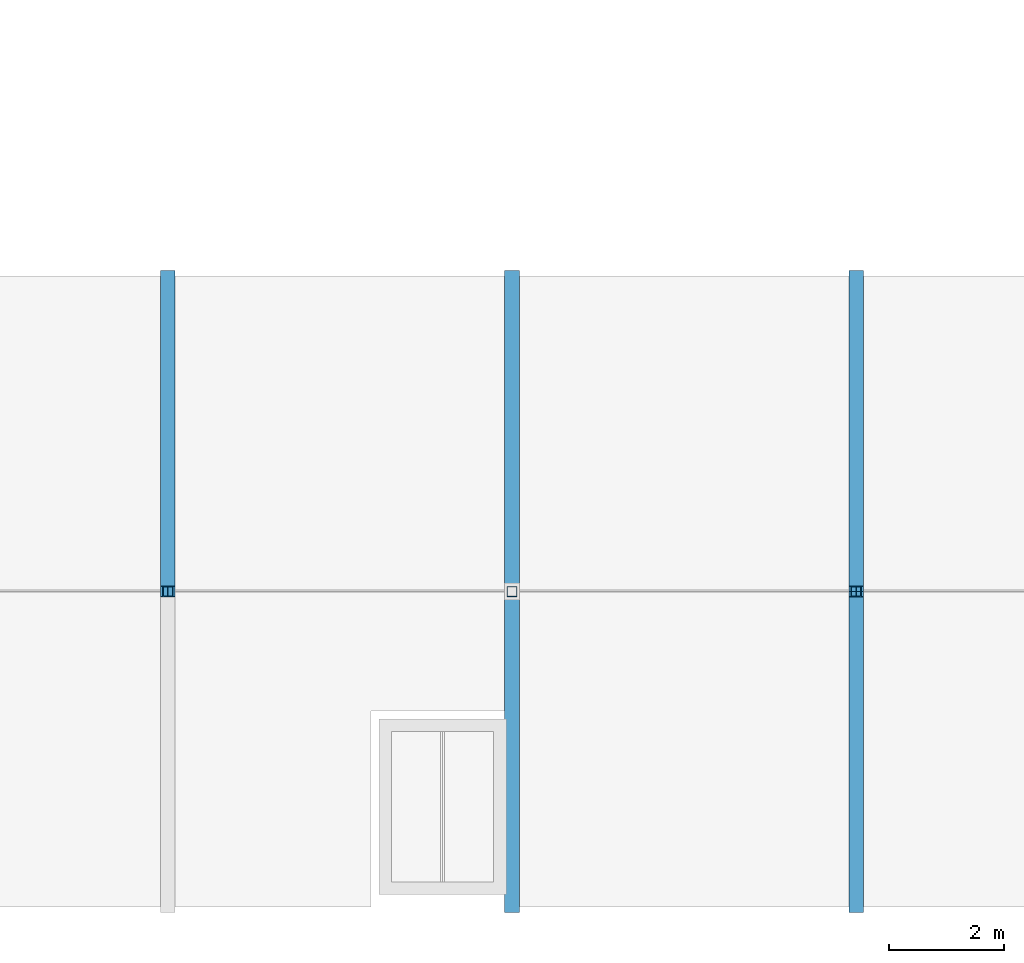
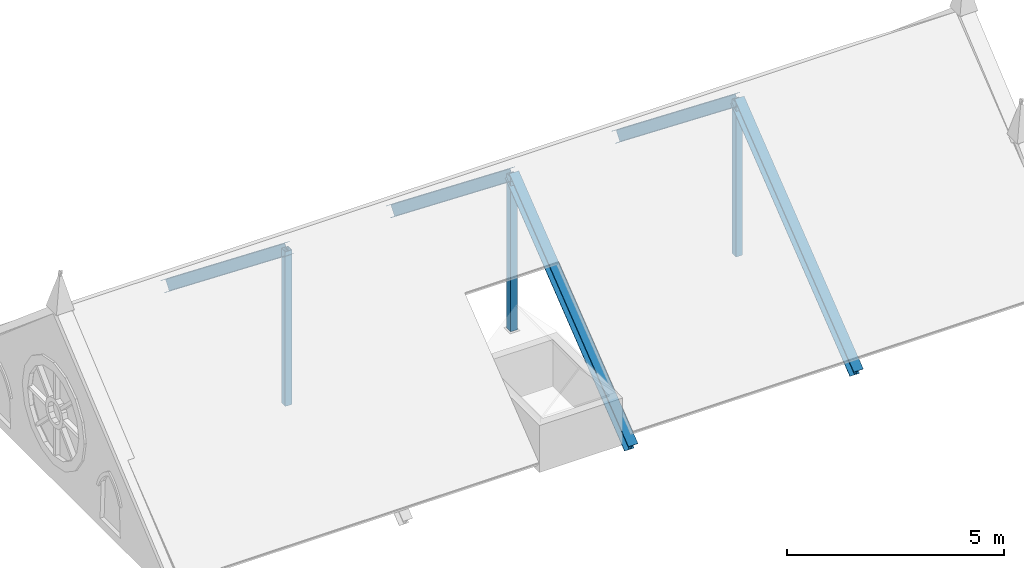
# One storey, part 6 of 108: 8 members.
"""IFC4 building model written with IfcOpenShell, lengths in metres."""

from ifc_helpers import new_model, si_unit, direction, frame, origin, origin_2d, place, context, subcontext, project, spatial, hollow_rectangle, i_section, extrude, material, material_profile, profile_set, type_object, element, save


model = new_model("IFC4")

# Units and contexts
model_context = context("Model", 3, precision=1e-05, world=origin(), true_north=direction((0.0, 1.0)))
body_context = subcontext(model_context, "Body", "Model", "MODEL_VIEW")
ifc_project = project(units=[si_unit("LENGTHUNIT", "METRE"), si_unit("AREAUNIT", "SQUARE_METRE"), si_unit("VOLUMEUNIT", "CUBIC_METRE"), si_unit("PLANEANGLEUNIT", "RADIAN"), si_unit("MASSUNIT", "GRAM", prefix="KILO")], contexts=[model_context])

# Site, building, storey
site_placement = place(None, origin())
site = spatial("IfcSite", under=ifc_project, at=site_placement, CompositionType="ELEMENT")
building_placement = place(site_placement, origin())
building = spatial("IfcBuilding", under=site, at=building_placement, Name="Cumevento Cable Car Station", CompositionType="ELEMENT")
storey_placement = place(building_placement, frame((0.0, 0.0, 13.5)))
storey = spatial("IfcBuildingStorey", under=building, at=storey_placement, Name="L04", CompositionType="ELEMENT", Elevation=13.5)

# Members
ifc_material_1 = material(Name="Steel ASTM A572 Grade 50", Category="steel")
ifc_material_profile_1 = material_profile(ifc_material_1, hollow_rectangle(XDim=0.179931640625, YDim=0.179931640625, WallThickness=0.010009765625, at=origin_2d()), Name="HSS180x180x10.0")
ifc_profile_set_1 = profile_set([ifc_material_profile_1], Name="Steel ASTM A572 Grade 50")
member_type_1 = type_object("IfcMemberType", Name="Framing Brace BR-01 HSS180x180x10.0", PredefinedType="BRACE", material=ifc_profile_set_1)
for number, where, z_axis, x_axis, name in (
    (1, (28.0, 9.5, 0.0), (0.0, 0.0, 1.0), (1.0, 0.0, 0.0), "Wing B_V1a King Post #673"),
    (2, (34.0, 9.5, 0.0), (0.0, 0.0, 1.0), (1.0, 0.0, 0.0), "Wing B_V1a King Post #676"),
    (3, (40.0, 9.5, 0.0), (0.0, 0.0, 1.0), (1.0, 0.0, 0.0), "Wing B_V1a King Post #679"),
):
    element("IfcMember", number, at=place(storey_placement, frame(where, z_axis=z_axis, x_axis=x_axis)), inside=storey, type_object=member_type_1, Name=name, PredefinedType="BRACE", context=body_context, shape_type="SweptSolid", body=[
        extrude(hollow_rectangle(XDim=0.179931640625, YDim=0.179931640625, WallThickness=0.010009765625, at=origin_2d()), origin(), (0.0, 0.0, 1.0), 4.35009765625),
    ])
ifc_material_2 = material(Name="Steel ASTM A572 Grade 50", Category="steel")
ifc_material_profile_2 = material_profile(ifc_material_2, i_section(OverallWidth=0.25390625, OverallDepth=0.305908203125, WebThickness=0.0087890625, FlangeThickness=0.0146484375, at=origin_2d()), Name="W310x79.0")
ifc_profile_set_2 = profile_set([ifc_material_profile_2], Name="Steel ASTM A572 Grade 50")
member_type_2 = type_object("IfcMemberType", Name="Framing Chord TC-03 W310x79.0", PredefinedType="CHORD", material=ifc_profile_set_2)
for number, where, z_axis, x_axis, name in (
    (4, (28.0, 15.0, 0.0), (0.0, -0.784328133219, 0.620346177099), (1.0, 0.0, 0.0), "Wing B_V1a Rafter #675"),
    (5, (34.0, 4.0, 0.0), (0.0, 0.784328133219, 0.620346177099), (-1.0, 0.0, 0.0), "Wing B_V1a Rafter #677"),
    (6, (34.0, 15.0, 0.0), (0.0, -0.784328133219, 0.620346177099), (1.0, 0.0, 0.0), "Wing B_V1a Rafter #678"),
    (7, (40.0, 4.0, 0.0), (0.0, 0.784328133219, 0.620346177099), (-1.0, 0.0, 0.0), "Wing B_V1a Rafter #680"),
    (8, (40.0, 15.0, 0.0), (0.0, -0.784328133219, 0.620346177099), (1.0, 0.0, 0.0), "Wing B_V1a Rafter #681"),
):
    element("IfcMember", number, at=place(storey_placement, frame(where, z_axis=z_axis, x_axis=x_axis)), inside=storey, type_object=member_type_2, Name=name, PredefinedType="CHORD", context=body_context, shape_type="SweptSolid", body=[
        extrude(i_section(OverallWidth=0.25390625, OverallDepth=0.305908203125, WebThickness=0.0087890625, FlangeThickness=0.0146484375, at=origin_2d()), origin(), (0.0, 0.0, 1.0), 7.012451171875),
    ])

save(model, "model.ifc")
